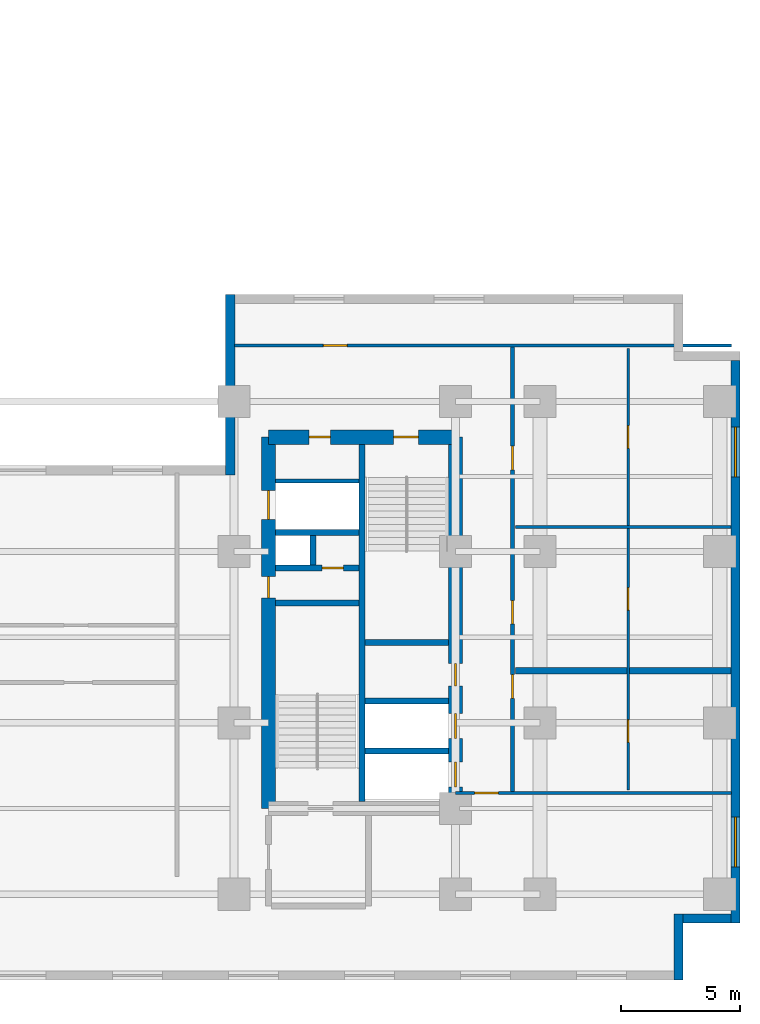
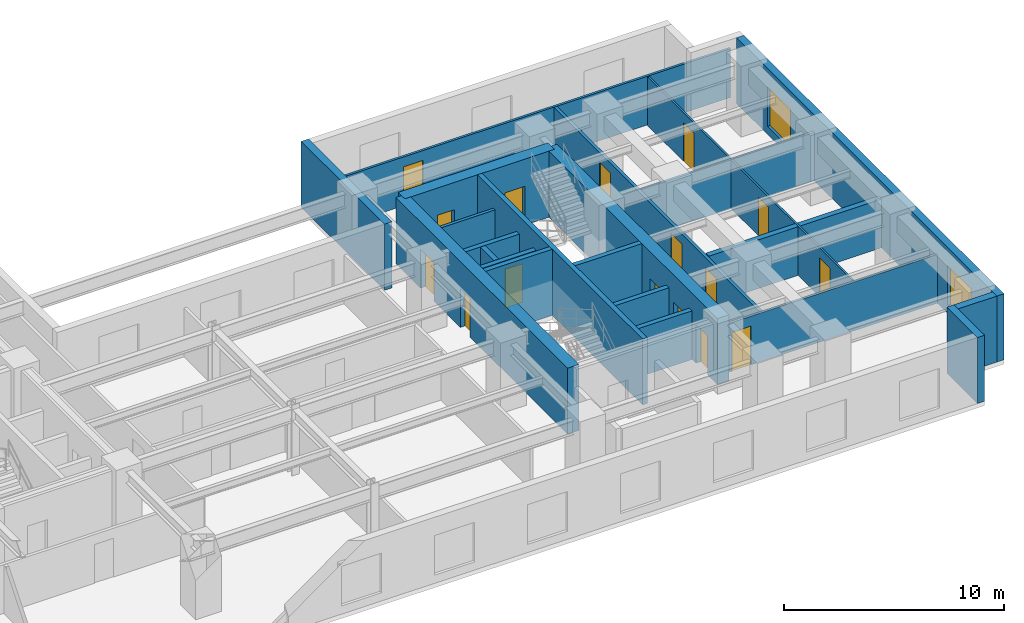
# One storey, part 5 of 9: 22 walls, 16 doors, 2 windows, 18 openings.
"""IFC4 building model written with IfcOpenShell, lengths in metres."""

import ifcopenshell
import ifcopenshell.guid

model = None  # the IFC model being written
_history = None  # IfcOwnerHistory: only IFC2X3 demands one
_inside = {}  # id of a spatial element -> (the spatial element, [elements in it])
_under = {}  # id of a project, library or spatial element -> (it, [spatial elements below it])
_declared = {}  # id of a project -> (the project, [libraries it declares])
_typed = {}  # id of a type object -> (the type object, [elements of that type])
_made_of = {}  # id of a material, layer set ... -> (it, [elements and type objects made of it])


def new_model(schema):
    """Start an empty IFC model of exactly this schema.

    Asked for "IFC4X3", IfcOpenShell would pick the latest addendum, in which some entities
    have other attributes; the version numbers below select the first issue.
    IFC2X3 requires an IfcOwnerHistory on every rooted entity: one is made here for all.
    """
    global model, _history
    if schema == "IFC4X3":
        model = ifcopenshell.file(schema_version=(4, 3, 0, 0))
    else:
        model = ifcopenshell.file(schema=schema)
    _inside.clear()
    _under.clear()
    _declared.clear()
    _typed.clear()
    _made_of.clear()
    _history = None
    if model.schema == "IFC2X3":
        org = make("IfcOrganization", Name="unknown")
        user = make(
            "IfcPersonAndOrganization",
            ThePerson=make("IfcPerson", FamilyName="unknown"),
            TheOrganization=org,
        )
        app = make(
            "IfcApplication",
            ApplicationDeveloper=org,
            Version="unknown",
            ApplicationFullName="unknown",
            ApplicationIdentifier="unknown",
        )
        _history = make(
            "IfcOwnerHistory",
            OwningUser=user,
            OwningApplication=app,
            ChangeAction="ADDED",
            CreationDate=0,
        )
    return model


def make(cls, **values):
    """One entity of the class cls with the attributes given. An attribute that is None is left unset."""
    return model.create_entity(
        cls, **{name: value for name, value in values.items() if value is not None}
    )


def entity(cls, *values):
    """Any entity or typed value of the class cls, its attributes in the order of the schema. None: left unset."""
    e = model.create_entity(cls)
    for i, value in enumerate(values):
        if value is not None:
            e[i] = value
    return e


def rooted(cls, **values):
    """An entity with a GlobalId (a new one), such as an element, a storey or a relation."""
    return make(cls, GlobalId=ifcopenshell.guid.new(), OwnerHistory=_history, **values)


def si_unit(unit_type, name, prefix=None):
    """IfcSIUnit, for example si_unit("LENGTHUNIT", "METRE", prefix="MILLI")."""
    return make("IfcSIUnit", UnitType=unit_type, Prefix=prefix, Name=name)


def converted_unit(unit_type, name, factor, base, dimensions=None, offset=None):
    """IfcConversionBasedUnit, such as the inch: factor (a typed value) times the base unit."""
    return make(
        "IfcConversionBasedUnit"
        if offset is None
        else "IfcConversionBasedUnitWithOffset",
        ConversionOffset=offset,
        Dimensions=None
        if dimensions is None
        else entity("IfcDimensionalExponents", *dimensions),
        UnitType=unit_type,
        Name=name,
        ConversionFactor=make(
            "IfcMeasureWithUnit", ValueComponent=factor, UnitComponent=base
        ),
    )


def assignment(units):
    """IfcUnitAssignment: the units of a project."""
    return None if units is None else make("IfcUnitAssignment", Units=units)


def point(xyz):
    """IfcCartesianPoint."""
    return None if xyz is None else make("IfcCartesianPoint", Coordinates=xyz)


def direction(xyz):
    """IfcDirection."""
    return None if xyz is None else make("IfcDirection", DirectionRatios=xyz)


def frame(location, z_axis=None, x_axis=None):
    """IfcAxis2Placement3D, a coordinate frame: its origin and axes. An axis left out is left unset."""
    return make(
        "IfcAxis2Placement3D",
        Location=point(location),
        Axis=direction(z_axis),
        RefDirection=direction(x_axis),
    )


def frame_2d(location, x_axis=None):
    """IfcAxis2Placement2D, a coordinate frame in the plane: its origin and x axis."""
    return make(
        "IfcAxis2Placement2D", Location=point(location), RefDirection=direction(x_axis)
    )


def origin_with_axes():
    """The frame at (0, 0, 0) with the z axis (0, 0, 1) and the x axis (1, 0, 0) written out."""
    return frame((0.0, 0.0, 0.0), z_axis=(0.0, 0.0, 1.0), x_axis=(1.0, 0.0, 0.0))


def origin_2d_with_axis():
    """The frame at (0, 0) in the plane with the x axis (1, 0) written out."""
    return frame_2d((0.0, 0.0), x_axis=(1.0, 0.0))


def place(relative_to, where):
    """IfcLocalPlacement: puts the frame where relative to a parent placement (None: the world)."""
    return make(
        "IfcLocalPlacement", PlacementRelTo=relative_to, RelativePlacement=where
    )


def context(
    kind, dimensions, precision=None, world=None, true_north=None, identifier=None
):
    """IfcGeometricRepresentationContext, for example the 3D "Model" context."""
    return make(
        "IfcGeometricRepresentationContext",
        ContextIdentifier=identifier,
        ContextType=kind,
        CoordinateSpaceDimension=dimensions,
        Precision=precision,
        WorldCoordinateSystem=world,
        TrueNorth=true_north,
    )


def subcontext(parent, identifier, kind, view, scale=None):
    """IfcGeometricRepresentationSubContext, for example "Body" below "Model"."""
    return make(
        "IfcGeometricRepresentationSubContext",
        ContextIdentifier=identifier,
        ContextType=kind,
        ParentContext=parent,
        TargetScale=scale,
        TargetView=view,
    )


def project(units=None, contexts=None):
    """IfcProject with its units and contexts."""
    return rooted(
        "IfcProject",
        Name="project",
        RepresentationContexts=contexts,
        UnitsInContext=assignment(units),
    )


def spatial(cls, under=None, at=None, **own):
    """A site, building, storey or space (cls), placed at a placement, below another one or the project."""
    s = rooted(cls, ObjectPlacement=at, **own)
    if under is not None:
        _under.setdefault(under.id(), (under, []))[1].append(s)
    return s


def polyline(points):
    """IfcPolyline through the points."""
    return make("IfcPolyline", Points=[point(p) for p in points])


def profile(cls, at=None, kind="AREA", **sizes):
    """A parametric profile (cls). Its sizes go by their IFC names, for example OverallWidth=200.0."""
    return make(cls, ProfileType=kind, Position=at, **sizes)


def rectangle(**sizes):
    """IfcRectangleProfileDef."""
    return profile("IfcRectangleProfileDef", **sizes)


def outline(outer, holes=None, kind="AREA"):
    """IfcArbitraryClosedProfileDef: a profile drawn as a closed curve; with holes, ...WithVoids."""
    if holes is None:
        return make("IfcArbitraryClosedProfileDef", ProfileType=kind, OuterCurve=outer)
    return make(
        "IfcArbitraryProfileDefWithVoids",
        ProfileType=kind,
        OuterCurve=outer,
        InnerCurves=holes,
    )


def extrude(swept, where, along, depth):
    """IfcExtrudedAreaSolid: the profile swept, set in the frame where, extruded along a direction by depth."""
    return make(
        "IfcExtrudedAreaSolid",
        SweptArea=swept,
        Position=where,
        ExtrudedDirection=direction(along),
        Depth=depth,
    )


def shape(context_of_items, identifier, shape_type, items):
    """IfcShapeRepresentation: the items that make up one representation, for example the "Body"."""
    return make(
        "IfcShapeRepresentation",
        ContextOfItems=context_of_items,
        RepresentationIdentifier=identifier,
        RepresentationType=shape_type,
        Items=items,
    )


def material(Name=None, Category=None):
    """IfcMaterial."""
    return make("IfcMaterial", Name=Name, Category=Category)


def layer(
    of_material, thickness, ventilated=None, Name=None, Category=None, Priority=None
):
    """IfcMaterialLayer: one layer of a wall or slab, of a material (None: an air gap)."""
    return make(
        "IfcMaterialLayer",
        Material=of_material,
        LayerThickness=thickness,
        IsVentilated=ventilated,
        Name=Name,
        Category=Category,
        Priority=Priority,
    )


def layer_set(layers, Name=None):
    """IfcMaterialLayerSet."""
    return make("IfcMaterialLayerSet", MaterialLayers=layers, LayerSetName=Name)


def made_of(thing, what):
    """Note that an element or type object is made of a material, layer set ...; save() writes the relation."""
    if what is not None:
        _made_of.setdefault(what.id(), (what, []))[1].append(thing)
    return thing


def type_object(cls, material=None, **own):
    """A type object (cls), such as IfcWallType, which elements share."""
    return made_of(rooted(cls, **own), material)


def element(
    cls,
    number,
    at=None,
    inside=None,
    cuts=None,
    type_object=None,
    material=None,
    context=None,
    identifier="Body",
    shape_type=None,
    held_by="IfcProductDefinitionShape",
    body=None,
    shapes=None,
    **own,
):
    """One element of the class cls, such as IfcWall. Its Tag is "e" and its number.

    at: its placement. inside: the storey or other place that contains it. cuts: it is an
    opening in that element (IfcRelVoidsElement). A single representation is given by context,
    identifier, shape_type and body (its items); several are given by shapes. held_by: the class
    of the entity that holds the representations. save() writes the other relations.
    """
    e = rooted(cls, Tag="e%d" % number, ObjectPlacement=at, **own)
    if body is not None:
        shapes = [shape(context, identifier, shape_type, body)]
    if shapes is not None:
        e.Representation = make(held_by, Representations=shapes)
    if inside is not None:
        _inside.setdefault(inside.id(), (inside, []))[1].append(e)
    if cuts is not None:
        rooted(
            "IfcRelVoidsElement", RelatingBuildingElement=cuts, RelatedOpeningElement=e
        )
    if type_object is not None:
        _typed.setdefault(type_object.id(), (type_object, []))[1].append(e)
    return made_of(e, material)


def fill(opening, filler):
    """IfcRelFillsElement: the door or window that sits in an opening."""
    return rooted(
        "IfcRelFillsElement",
        RelatingOpeningElement=opening,
        RelatedBuildingElement=filler,
    )


def aggregate(whole, parts):
    """IfcRelAggregates: a whole, such as a stair, and the parts it consists of."""
    return rooted("IfcRelAggregates", RelatingObject=whole, RelatedObjects=parts)


def save(model, path):
    """Write the relations noted so far, then the file.

    IfcRelAggregates (storeys below a building ...), IfcRelContainedInSpatialStructure (elements
    in a storey), IfcRelDefinesByType, IfcRelAssociatesMaterial and IfcRelDeclares: one each for
    every whole, place, type object, material and project.
    """
    for whole, parts in _under.values():
        aggregate(whole, parts)
    for where, things in _inside.values():
        rooted(
            "IfcRelContainedInSpatialStructure",
            RelatedElements=things,
            RelatingStructure=where,
        )
    for kind, things in _typed.values():
        rooted("IfcRelDefinesByType", RelatedObjects=things, RelatingType=kind)
    for what, things in _made_of.values():
        rooted("IfcRelAssociatesMaterial", RelatedObjects=things, RelatingMaterial=what)
    for by, libraries in _declared.values():
        rooted("IfcRelDeclares", RelatingContext=by, RelatedDefinitions=libraries)
    model.write(path)


model = new_model("IFC4")

# Units and contexts
model_context = context("Model", 3, precision=1e-05, world=origin_with_axes(), true_north=direction((0.0, 1.0)))
body_context = subcontext(model_context, "Body", "Model", "MODEL_VIEW")
ifc_project = project(units=[si_unit("LENGTHUNIT", "METRE"), si_unit("AREAUNIT", "SQUARE_METRE"), si_unit("VOLUMEUNIT", "CUBIC_METRE"), converted_unit("PLANEANGLEUNIT", "DEGREE", entity("IfcPlaneAngleMeasure", 0.017453292519943295), si_unit("PLANEANGLEUNIT", "RADIAN"), dimensions=[0, 0, 0, 0, 0, 0, 0]), si_unit("MASSUNIT", "GRAM", prefix="KILO"), si_unit("THERMODYNAMICTEMPERATUREUNIT", "KELVIN")], contexts=[model_context])

# Site, building, storey
site_placement = place(None, origin_with_axes())
site = spatial("IfcSite", under=ifc_project, at=site_placement, CompositionType="ELEMENT")
building_placement = place(site_placement, origin_with_axes())
building = spatial("IfcBuilding", under=site, at=building_placement, Name="Varnlund Millrace Tower", CompositionType="ELEMENT")
storey_placement = place(building_placement, frame((0.0, 0.0, 32.7), z_axis=(0.0, 0.0, 1.0), x_axis=(1.0, 0.0, 0.0)))
storey = spatial("IfcBuildingStorey", under=building, at=storey_placement, Name="L07", CompositionType="ELEMENT", Elevation=32.7)

# Wall, openings, doors
ifc_material_1 = material(Name="Concrete C80/95", Category="concrete")
ifc_layer_1 = layer(ifc_material_1, 0.6, Name="Concrete C80/95")
ifc_layer_set_1 = layer_set([ifc_layer_1], Name="Concrete C80/95")
wall_type_1 = type_object("IfcWallType", Name="Type-CoreWall-Shear-600-C80", PredefinedType="SHEAR", material=ifc_layer_set_1)
wall_1_placement = place(storey_placement, frame((40.2, 7.2, 0.0), z_axis=(0.0, 0.0, 1.0), x_axis=(0.0, 1.0, 0.0)))
wall_1 = element("IfcWall", 1, at=wall_1_placement, inside=storey, type_object=wall_type_1, Name="Type-CoreWall-Shear-600-C80", PredefinedType="SHEAR", context=body_context, shape_type="SweptSolid", body=[
    extrude(outline(polyline([(0.0, -0.3), (15.6, -0.3), (15.6, 0.3), (0.0, 0.3), (0.0, -0.3)])), origin_with_axes(), (0.0, 0.0, 1.0), 3.66),
])
opening_1_placement = place(wall_1_placement, frame((12.75, 0.0, 0.0), z_axis=(0.0, 0.0, 1.0), x_axis=(1.0, 0.0, 0.0)))
opening_1 = element("IfcOpeningElement", 2, at=opening_1_placement, cuts=wall_1, Name="Opening L07:LD-SRV2", PredefinedType="OPENING", context=body_context, shape_type="SweptSolid", body=[
    extrude(rectangle(XDim=1.2, YDim=0.62, at=origin_2d_with_axis()), origin_with_axes(), (0.0, 0.0, 1.0), 2.15),
])
opening_2_placement = place(wall_1_placement, frame((9.3, 0.0, 0.0), z_axis=(0.0, 0.0, 1.0), x_axis=(1.0, 0.0, 0.0)))
opening_2 = element("IfcOpeningElement", 3, at=opening_2_placement, cuts=wall_1, Name="Opening L07:DR-CB-JAN", PredefinedType="OPENING", context=body_context, shape_type="SweptSolid", body=[
    extrude(rectangle(XDim=0.9, YDim=0.62, at=origin_2d_with_axis()), origin_with_axes(), (0.0, 0.0, 1.0), 2.15),
])
ifc_material_2 = material(Name="Fire-rated hollow steel service closet door", Category="steel")
door_type_1 = type_object("IfcDoorType", Name="Type-FireDoor-Closet-900X2150", OperationType="NOTDEFINED", PredefinedType="DOOR", material=ifc_material_2)
door_1_placement = place(wall_1_placement, frame((9.3, 0.0, 0.0), z_axis=(0.0, 0.0, 1.0), x_axis=(1.0, 0.0, 0.0)))
door_1 = element("IfcDoor", 4, at=door_1_placement, inside=storey, type_object=door_type_1, Name="Type-FireDoor-Closet-900X2150", OperationType="SINGLE_SWING_RIGHT", OverallHeight=2.15, OverallWidth=0.9, PredefinedType="DOOR", context=body_context, shape_type="SweptSolid", body=[
    extrude(rectangle(XDim=0.9, YDim=0.09, at=origin_2d_with_axis()), origin_with_axes(), (0.0, 0.0, 1.0), 2.15),
])
fill(opening_2, door_1)
ifc_material_3 = material(Name="Heavy-duty freight sliding landing door")
door_type_2 = type_object("IfcDoorType", Name="Type-LiftLandingDoor-Service-1200X2150", OperationType="NOTDEFINED", PredefinedType="DOOR", material=ifc_material_3)
door_2_placement = place(wall_1_placement, frame((12.75, 0.0, 0.0), z_axis=(0.0, 0.0, 1.0), x_axis=(1.0, 0.0, 0.0)))
door_2 = element("IfcDoor", 5, at=door_2_placement, inside=storey, type_object=door_type_2, Name="Type-LiftLandingDoor-Service-1200X2150", OperationType="DOUBLE_DOOR_SLIDING", OverallHeight=2.15, OverallWidth=1.2, PredefinedType="DOOR", context=body_context, shape_type="SweptSolid", body=[
    extrude(rectangle(XDim=1.2, YDim=0.09, at=origin_2d_with_axis()), origin_with_axes(), (0.0, 0.0, 1.0), 2.15),
])
fill(opening_1, door_2)

wall_2_placement = place(storey_placement, frame((40.2, 22.8, 0.0), z_axis=(0.0, 0.0, 1.0), x_axis=(1.0, 0.0, 0.0)))
wall_2 = element("IfcWall", 6, at=wall_2_placement, inside=storey, type_object=wall_type_1, Name="Type-CoreWall-Shear-600-C80", PredefinedType="SHEAR", context=body_context, shape_type="SweptSolid", body=[
    extrude(outline(polyline([(0.0, -0.3), (7.85, -0.3), (7.85, 0.3), (0.0, 0.3), (0.0, -0.3)])), origin_with_axes(), (0.0, 0.0, 1.0), 3.66),
])
opening_3_placement = place(wall_2_placement, frame((5.775, 0.0, 0.0), z_axis=(0.0, 0.0, 1.0), x_axis=(1.0, 0.0, 0.0)))
opening_3 = element("IfcOpeningElement", 7, at=opening_3_placement, cuts=wall_2, Name="Opening L07:DR-STB2", PredefinedType="OPENING", context=body_context, shape_type="SweptSolid", body=[
    extrude(rectangle(XDim=1.05, YDim=0.62, at=origin_2d_with_axis()), origin_with_axes(), (0.0, 0.0, 1.0), 2.15),
])
opening_4_placement = place(wall_2_placement, frame((2.15, 0.0, 0.0), z_axis=(0.0, 0.0, 1.0), x_axis=(1.0, 0.0, 0.0)))
opening_4 = element("IfcOpeningElement", 8, at=opening_4_placement, cuts=wall_2, Name="Opening L07:DR-CB-NW", PredefinedType="OPENING", context=body_context, shape_type="SweptSolid", body=[
    extrude(rectangle(XDim=0.9, YDim=0.62, at=origin_2d_with_axis()), origin_with_axes(), (0.0, 0.0, 1.0), 2.15),
])
door_3_placement = place(wall_2_placement, frame((2.15, 0.0, 0.0), z_axis=(0.0, 0.0, 1.0), x_axis=(1.0, 0.0, 0.0)))
door_3 = element("IfcDoor", 9, at=door_3_placement, inside=storey, type_object=door_type_1, Name="Type-FireDoor-Closet-900X2150", OperationType="SINGLE_SWING_LEFT", OverallHeight=2.15, OverallWidth=0.9, PredefinedType="DOOR", context=body_context, shape_type="SweptSolid", body=[
    extrude(rectangle(XDim=0.9, YDim=0.09, at=origin_2d_with_axis()), origin_with_axes(), (0.0, 0.0, 1.0), 2.15),
])
fill(opening_4, door_3)
ifc_material_4 = material(Name="Fire-rated hollow steel door", Category="steel")
door_type_3 = type_object("IfcDoorType", Name="Type-FireDoor-Stair-1050X2150", OperationType="NOTDEFINED", PredefinedType="DOOR", material=ifc_material_4)
door_4_placement = place(wall_2_placement, frame((5.775, 0.0, 0.0), z_axis=(0.0, 0.0, 1.0), x_axis=(1.0, 0.0, 0.0)))
door_4 = element("IfcDoor", 10, at=door_4_placement, inside=storey, type_object=door_type_3, Name="Type-FireDoor-Stair-1050X2150", OperationType="SINGLE_SWING_RIGHT", OverallHeight=2.15, OverallWidth=1.05, PredefinedType="DOOR", context=body_context, shape_type="SweptSolid", body=[
    extrude(rectangle(XDim=1.05, YDim=0.09, at=origin_2d_with_axis()), origin_with_axes(), (0.0, 0.0, 1.0), 2.15),
])
fill(opening_3, door_4)

wall_3_placement = place(storey_placement, frame((48.05, 7.2, 0.0), z_axis=(0.0, 0.0, 1.0), x_axis=(0.0, 1.0, 0.0)))
wall_3 = element("IfcWall", 11, at=wall_3_placement, inside=storey, type_object=wall_type_1, Name="Type-CoreWall-Shear-600-C80", PredefinedType="SHEAR", context=body_context, shape_type="SweptSolid", body=[
    extrude(outline(polyline([(0.0, -0.3), (15.6, -0.3), (15.6, 0.3), (0.0, 0.3), (0.0, -0.3)])), origin_with_axes(), (0.0, 0.0, 1.0), 3.66),
])
opening_5_placement = place(wall_3_placement, frame((1.425, 0.0, 0.0), z_axis=(0.0, 0.0, 1.0), x_axis=(1.0, 0.0, 0.0)))
opening_5 = element("IfcOpeningElement", 12, at=opening_5_placement, cuts=wall_3, Name="Opening L07:LD-ELV-L3", PredefinedType="OPENING", context=body_context, shape_type="SweptSolid", body=[
    extrude(rectangle(XDim=1.05, YDim=0.62, at=origin_2d_with_axis()), origin_with_axes(), (0.0, 0.0, 1.0), 2.15),
])
opening_6_placement = place(wall_3_placement, frame((3.475, 0.0, 0.0), z_axis=(0.0, 0.0, 1.0), x_axis=(1.0, 0.0, 0.0)))
opening_6 = element("IfcOpeningElement", 13, at=opening_6_placement, cuts=wall_3, Name="Opening L07:LD-ELV-L4", PredefinedType="OPENING", context=body_context, shape_type="SweptSolid", body=[
    extrude(rectangle(XDim=1.05, YDim=0.62, at=origin_2d_with_axis()), origin_with_axes(), (0.0, 0.0, 1.0), 2.15),
])
opening_7_placement = place(wall_3_placement, frame((5.625, 0.0, 0.0), z_axis=(0.0, 0.0, 1.0), x_axis=(1.0, 0.0, 0.0)))
opening_7 = element("IfcOpeningElement", 14, at=opening_7_placement, cuts=wall_3, Name="Opening L07:DR-CB-WC", PredefinedType="OPENING", context=body_context, shape_type="SweptSolid", body=[
    extrude(rectangle(XDim=0.95, YDim=0.62, at=origin_2d_with_axis()), origin_with_axes(), (0.0, 0.0, 1.0), 2.15),
])
ifc_material_5 = material(Name="Fire-rated hollow steel core service door", Category="steel")
door_type_4 = type_object("IfcDoorType", Name="Type-FireDoor-Service-950X2150", OperationType="NOTDEFINED", PredefinedType="DOOR", material=ifc_material_5)
door_5_placement = place(wall_3_placement, frame((5.625, 0.0, 0.0), z_axis=(0.0, 0.0, 1.0), x_axis=(1.0, 0.0, 0.0)))
door_5 = element("IfcDoor", 15, at=door_5_placement, inside=storey, type_object=door_type_4, Name="Type-FireDoor-Service-950X2150", OperationType="SINGLE_SWING_LEFT", OverallHeight=2.15, OverallWidth=0.95, PredefinedType="DOOR", context=body_context, shape_type="SweptSolid", body=[
    extrude(rectangle(XDim=0.95, YDim=0.09, at=origin_2d_with_axis()), origin_with_axes(), (0.0, 0.0, 1.0), 2.15),
])
fill(opening_7, door_5)
ifc_material_6 = material(Name="Architectural bronze sliding landing door")
door_type_5 = type_object("IfcDoorType", Name="Type-LiftLandingDoor-Compact-1050X2150", OperationType="NOTDEFINED", PredefinedType="DOOR", material=ifc_material_6)
door_6_placement = place(wall_3_placement, frame((1.425, 0.0, 0.0), z_axis=(0.0, 0.0, 1.0), x_axis=(1.0, 0.0, 0.0)))
door_6 = element("IfcDoor", 16, at=door_6_placement, inside=storey, type_object=door_type_5, Name="Type-LiftLandingDoor-Compact-1050X2150", OperationType="SLIDING_TO_LEFT", OverallHeight=2.15, OverallWidth=1.05, PredefinedType="DOOR", context=body_context, shape_type="SweptSolid", body=[
    extrude(rectangle(XDim=1.05, YDim=0.09, at=origin_2d_with_axis()), origin_with_axes(), (0.0, 0.0, 1.0), 2.15),
])
fill(opening_5, door_6)
door_7_placement = place(wall_3_placement, frame((3.475, 0.0, 0.0), z_axis=(0.0, 0.0, 1.0), x_axis=(1.0, 0.0, 0.0)))
door_7 = element("IfcDoor", 17, at=door_7_placement, inside=storey, type_object=door_type_5, Name="Type-LiftLandingDoor-Compact-1050X2150", OperationType="SLIDING_TO_RIGHT", OverallHeight=2.15, OverallWidth=1.05, PredefinedType="DOOR", context=body_context, shape_type="SweptSolid", body=[
    extrude(rectangle(XDim=1.05, YDim=0.09, at=origin_2d_with_axis()), origin_with_axes(), (0.0, 0.0, 1.0), 2.15),
])
fill(opening_6, door_7)

# Wall
ifc_material_7 = material(Name="Precast concrete C50/60", Category="concrete")
ifc_layer_2 = layer(ifc_material_7, 0.38, Name="Precast concrete C50/60")
ifc_layer_set_2 = layer_set([ifc_layer_2], Name="Precast concrete C50/60")
wall_type_2 = type_object("IfcWallType", Name="Type-ExtWall-Precast-Tube-380", PredefinedType="SOLIDWALL", material=ifc_layer_set_2)
wall_4_placement = place(storey_placement, frame((38.59, 21.22, 0.0), z_axis=(0.0, 0.0, 1.0), x_axis=(0.0, 1.0, 0.0)))
element("IfcWall", 18, at=wall_4_placement, inside=storey, type_object=wall_type_2, Name="Type-ExtWall-Precast-Tube-380", PredefinedType="SOLIDWALL", context=body_context, shape_type="SweptSolid", body=[
    extrude(outline(polyline([(0.0, -0.19), (7.58, -0.19), (7.58, 0.19), (0.0, 0.19), (0.0, -0.19)])), origin_with_axes(), (0.0, 0.0, 1.0), 3.66),
])

# Wall, openings, windows
wall_5_placement = place(storey_placement, frame((59.81, 26.02, 0.0), z_axis=(0.0, 0.0, 1.0), x_axis=(0.0, -1.0, 0.0)))
wall_5 = element("IfcWall", 19, at=wall_5_placement, inside=storey, type_object=wall_type_2, Name="Type-ExtWall-Precast-Tube-380", PredefinedType="SOLIDWALL", context=body_context, shape_type="SweptSolid", body=[
    extrude(outline(polyline([(0.0, -0.19), (23.62, -0.19), (23.62, 0.19), (0.0, 0.19), (0.0, -0.19)])), origin_with_axes(), (0.0, 0.0, 1.0), 3.66),
])
opening_8_placement = place(wall_5_placement, frame((3.853, 0.0, 0.45), z_axis=(0.0, 0.0, 1.0), x_axis=(1.0, 0.0, 0.0)))
opening_8 = element("IfcOpeningElement", 20, at=opening_8_placement, cuts=wall_5, Name="Opening L07:WN-04", PredefinedType="OPENING", context=body_context, shape_type="SweptSolid", body=[
    extrude(rectangle(XDim=2.1, YDim=0.4, at=origin_2d_with_axis()), origin_with_axes(), (0.0, 0.0, 1.0), 2.2),
])
opening_9_placement = place(wall_5_placement, frame((20.218, 0.0, 0.45), z_axis=(0.0, 0.0, 1.0), x_axis=(1.0, 0.0, 0.0)))
opening_9 = element("IfcOpeningElement", 21, at=opening_9_placement, cuts=wall_5, Name="Opening L07:WN-05", PredefinedType="OPENING", context=body_context, shape_type="SweptSolid", body=[
    extrude(rectangle(XDim=2.1, YDim=0.4, at=origin_2d_with_axis()), origin_with_axes(), (0.0, 0.0, 1.0), 2.2),
])
ifc_material_8 = material(Name="Argon low-e triple glazing in thermally broken bronze frame", Category="glass")
window_type = type_object("IfcWindowType", Name="Type-Window-Punched-2100X2200", PartitioningType="SINGLE_PANEL", PredefinedType="WINDOW", material=ifc_material_8)
window_1_placement = place(wall_5_placement, frame((3.853, 0.0, 0.45), z_axis=(0.0, 0.0, 1.0), x_axis=(1.0, 0.0, 0.0)))
window_1 = element("IfcWindow", 22, at=window_1_placement, inside=storey, type_object=window_type, Name="Type-Window-Punched-2100X2200", OverallHeight=2.2, OverallWidth=2.1, PredefinedType="WINDOW", context=body_context, shape_type="SweptSolid", body=[
    extrude(rectangle(XDim=2.1, YDim=0.09, at=origin_2d_with_axis()), origin_with_axes(), (0.0, 0.0, 1.0), 2.2),
])
fill(opening_8, window_1)
window_2_placement = place(wall_5_placement, frame((20.218, 0.0, 0.45), z_axis=(0.0, 0.0, 1.0), x_axis=(1.0, 0.0, 0.0)))
window_2 = element("IfcWindow", 23, at=window_2_placement, inside=storey, type_object=window_type, Name="Type-Window-Punched-2100X2200", OverallHeight=2.2, OverallWidth=2.1, PredefinedType="WINDOW", context=body_context, shape_type="SweptSolid", body=[
    extrude(rectangle(XDim=2.1, YDim=0.09, at=origin_2d_with_axis()), origin_with_axes(), (0.0, 0.0, 1.0), 2.2),
])
fill(opening_9, window_2)

# Walls
wall_6_placement = place(storey_placement, frame((59.62, 2.59, 0.0), z_axis=(0.0, 0.0, 1.0), x_axis=(-1.0, 0.0, 0.0)))
element("IfcWall", 24, at=wall_6_placement, inside=storey, type_object=wall_type_2, Name="Type-ExtWall-Precast-Tube-380", PredefinedType="SOLIDWALL", context=body_context, shape_type="SweptSolid", body=[
    extrude(outline(polyline([(0.0, -0.19), (2.02, -0.19), (2.02, 0.19), (0.0, 0.19), (0.0, -0.19)])), origin_with_axes(), (0.0, 0.0, 1.0), 3.66),
])
wall_7_placement = place(storey_placement, frame((57.41, 2.78, 0.0), z_axis=(0.0, 0.0, 1.0), x_axis=(0.0, -1.0, 0.0)))
element("IfcWall", 25, at=wall_7_placement, inside=storey, type_object=wall_type_2, Name="Type-ExtWall-Precast-Tube-380", PredefinedType="SOLIDWALL", context=body_context, shape_type="SweptSolid", body=[
    extrude(outline(polyline([(0.0, -0.19), (2.78, -0.19), (2.78, 0.19), (0.0, 0.19), (0.0, -0.19)])), origin_with_axes(), (0.0, 0.0, 1.0), 3.66),
])
ifc_material_9 = material(Name="Double-stud STC-60 conference acoustic partition", Category="gypsum")
ifc_layer_3 = layer(ifc_material_9, 0.28, Name="Double-stud STC-60 conference acoustic partition")
ifc_layer_set_3 = layer_set([ifc_layer_3], Name="Double-stud STC-60 conference acoustic partition")
wall_type_3 = type_object("IfcWallType", Name="Type-Partition-Acoustic-280", PredefinedType="PARTITIONING", material=ifc_layer_set_3)
wall_8_placement = place(storey_placement, frame((50.57, 12.993, 0.0), z_axis=(0.0, 0.0, 1.0), x_axis=(1.0, 0.0, 0.0)))
element("IfcWall", 26, at=wall_8_placement, inside=storey, type_object=wall_type_3, Name="Type-Partition-Acoustic-280", PredefinedType="PARTITIONING", context=body_context, shape_type="SweptSolid", body=[
    extrude(outline(polyline([(0.0, -0.14), (9.055, -0.14), (9.055, 0.14), (0.0, 0.14), (0.0, -0.14)])), origin_with_axes(), (0.0, 0.0, 1.0), 2.7),
])
ifc_material_10 = material(Name="Fire-rated gypsum board on cold-formed steel framing", Category="steel")
ifc_layer_4 = layer(ifc_material_10, 0.16, Name="Fire-rated gypsum board on cold-formed steel framing")
ifc_layer_set_4 = layer_set([ifc_layer_4], Name="Fire-rated gypsum board on cold-formed steel framing")
wall_type_4 = type_object("IfcWallType", Name="Type-Partition-Corridor-160", PredefinedType="PARTITIONING", material=ifc_layer_set_4)
wall_9_placement = place(storey_placement, frame((40.5, 20.96, 0.0), z_axis=(0.0, 0.0, 1.0), x_axis=(1.0, 0.0, 0.0)))
element("IfcWall", 27, at=wall_9_placement, inside=storey, type_object=wall_type_4, Name="Type-Partition-Corridor-160", PredefinedType="PARTITIONING", context=body_context, shape_type="SweptSolid", body=[
    extrude(outline(polyline([(0.0, -0.08), (3.5, -0.08), (3.5, 0.08), (0.0, 0.08), (0.0, -0.08)])), origin_with_axes(), (0.0, 0.0, 1.0), 2.7),
])

# Wall, openings, doors
wall_10_placement = place(storey_placement, frame((50.45, 7.85, 0.0), z_axis=(0.0, 0.0, 1.0), x_axis=(0.0, 1.0, 0.0)))
wall_10 = element("IfcWall", 28, at=wall_10_placement, inside=storey, type_object=wall_type_4, Name="Type-Partition-Corridor-160", PredefinedType="PARTITIONING", context=body_context, shape_type="SweptSolid", body=[
    extrude(outline(polyline([(0.0, -0.08), (18.8, -0.08), (18.8, 0.08), (0.0, 0.08), (0.0, -0.08)])), origin_with_axes(), (0.0, 0.0, 1.0), 2.7),
])
opening_10_placement = place(wall_10_placement, frame((4.473, 0.0, 0.0), z_axis=(0.0, 0.0, 1.0), x_axis=(1.0, 0.0, 0.0)))
opening_10 = element("IfcOpeningElement", 29, at=opening_10_placement, cuts=wall_10, Name="Opening L07:DR-WB-01", PredefinedType="OPENING", context=body_context, shape_type="SweptSolid", body=[
    extrude(rectangle(XDim=1.0, YDim=0.18, at=origin_2d_with_axis()), origin_with_axes(), (0.0, 0.0, 1.0), 2.15),
])
opening_11_placement = place(wall_10_placement, frame((7.597, 0.0, 0.0), z_axis=(0.0, 0.0, 1.0), x_axis=(1.0, 0.0, 0.0)))
opening_11 = element("IfcOpeningElement", 30, at=opening_11_placement, cuts=wall_10, Name="Opening L07:DR-WB-02", PredefinedType="OPENING", context=body_context, shape_type="SweptSolid", body=[
    extrude(rectangle(XDim=1.0, YDim=0.18, at=origin_2d_with_axis()), origin_with_axes(), (0.0, 0.0, 1.0), 2.15),
])
opening_12_placement = place(wall_10_placement, frame((14.075, 0.0, 0.0), z_axis=(0.0, 0.0, 1.0), x_axis=(1.0, 0.0, 0.0)))
opening_12 = element("IfcOpeningElement", 31, at=opening_12_placement, cuts=wall_10, Name="Opening L07:DR-WB-03", PredefinedType="OPENING", context=body_context, shape_type="SweptSolid", body=[
    extrude(rectangle(XDim=1.0, YDim=0.18, at=origin_2d_with_axis()), origin_with_axes(), (0.0, 0.0, 1.0), 2.15),
])
ifc_material_11 = material(Name="Solid-core white oak and bronze frame door")
door_type_6 = type_object("IfcDoorType", Name="Type-IntDoor-Office-1000X2150", OperationType="NOTDEFINED", PredefinedType="DOOR", material=ifc_material_11)
door_8_placement = place(wall_10_placement, frame((4.473, 0.0, 0.0), z_axis=(0.0, 0.0, 1.0), x_axis=(1.0, 0.0, 0.0)))
door_8 = element("IfcDoor", 32, at=door_8_placement, inside=storey, type_object=door_type_6, Name="Type-IntDoor-Office-1000X2150", OperationType="SINGLE_SWING_LEFT", OverallHeight=2.15, OverallWidth=1.0, PredefinedType="DOOR", context=body_context, shape_type="SweptSolid", body=[
    extrude(rectangle(XDim=1.0, YDim=0.09, at=origin_2d_with_axis()), origin_with_axes(), (0.0, 0.0, 1.0), 2.15),
])
fill(opening_10, door_8)
door_9_placement = place(wall_10_placement, frame((7.597, 0.0, 0.0), z_axis=(0.0, 0.0, 1.0), x_axis=(1.0, 0.0, 0.0)))
door_9 = element("IfcDoor", 33, at=door_9_placement, inside=storey, type_object=door_type_6, Name="Type-IntDoor-Office-1000X2150", OperationType="SINGLE_SWING_RIGHT", OverallHeight=2.15, OverallWidth=1.0, PredefinedType="DOOR", context=body_context, shape_type="SweptSolid", body=[
    extrude(rectangle(XDim=1.0, YDim=0.09, at=origin_2d_with_axis()), origin_with_axes(), (0.0, 0.0, 1.0), 2.15),
])
fill(opening_11, door_9)
door_10_placement = place(wall_10_placement, frame((14.075, 0.0, 0.0), z_axis=(0.0, 0.0, 1.0), x_axis=(1.0, 0.0, 0.0)))
door_10 = element("IfcDoor", 34, at=door_10_placement, inside=storey, type_object=door_type_6, Name="Type-IntDoor-Office-1000X2150", OperationType="SINGLE_SWING_LEFT", OverallHeight=2.15, OverallWidth=1.0, PredefinedType="DOOR", context=body_context, shape_type="SweptSolid", body=[
    extrude(rectangle(XDim=1.0, YDim=0.09, at=origin_2d_with_axis()), origin_with_axes(), (0.0, 0.0, 1.0), 2.15),
])
fill(opening_12, door_10)

ifc_material_12 = material(Name="Architectural bronze and acoustic glass office front", Category="glass")
ifc_layer_5 = layer(ifc_material_12, 0.1, Name="Architectural bronze and acoustic glass office front")
ifc_layer_set_5 = layer_set([ifc_layer_5], Name="Architectural bronze and acoustic glass office front")
wall_type_5 = type_object("IfcWallType", Name="Type-Partition-Glazed-100", PredefinedType="PARTITIONING", material=ifc_layer_set_5)
wall_11_placement = place(storey_placement, frame((55.3, 7.98, 0.0), z_axis=(0.0, 0.0, 1.0), x_axis=(0.0, 1.0, 0.0)))
wall_11 = element("IfcWall", 35, at=wall_11_placement, inside=storey, type_object=wall_type_5, Name="Type-Partition-Glazed-100", PredefinedType="PARTITIONING", context=body_context, shape_type="SweptSolid", body=[
    extrude(outline(polyline([(0.0, -0.05), (18.54, -0.05), (18.54, 0.05), (0.0, 0.05), (0.0, -0.05)])), origin_with_axes(), (0.0, 0.0, 1.0), 2.7),
])
opening_13_placement = place(wall_11_placement, frame((2.4715, 0.0, 0.0), z_axis=(0.0, 0.0, 1.0), x_axis=(1.0, 0.0, 0.0)))
opening_13 = element("IfcOpeningElement", 36, at=opening_13_placement, cuts=wall_11, Name="Opening L07:DR-WB-S01", PredefinedType="OPENING", context=body_context, shape_type="SweptSolid", body=[
    extrude(rectangle(XDim=0.95, YDim=0.12, at=origin_2d_with_axis()), origin_with_axes(), (0.0, 0.0, 1.0), 2.15),
])
opening_14_placement = place(wall_11_placement, frame((8.027, 0.0, 0.0), z_axis=(0.0, 0.0, 1.0), x_axis=(1.0, 0.0, 0.0)))
opening_14 = element("IfcOpeningElement", 37, at=opening_14_placement, cuts=wall_11, Name="Opening L07:DR-WB-S02", PredefinedType="OPENING", context=body_context, shape_type="SweptSolid", body=[
    extrude(rectangle(XDim=0.95, YDim=0.12, at=origin_2d_with_axis()), origin_with_axes(), (0.0, 0.0, 1.0), 2.15),
])
opening_15_placement = place(wall_11_placement, frame((14.8255, 0.0, 0.0), z_axis=(0.0, 0.0, 1.0), x_axis=(1.0, 0.0, 0.0)))
opening_15 = element("IfcOpeningElement", 38, at=opening_15_placement, cuts=wall_11, Name="Opening L07:DR-WB-S03", PredefinedType="OPENING", context=body_context, shape_type="SweptSolid", body=[
    extrude(rectangle(XDim=0.95, YDim=0.12, at=origin_2d_with_axis()), origin_with_axes(), (0.0, 0.0, 1.0), 2.15),
])
ifc_material_13 = material(Name="Solid-core acoustic office door")
door_type_7 = type_object("IfcDoorType", Name="Type-IntDoor-Tenant-950X2150", OperationType="NOTDEFINED", PredefinedType="DOOR", material=ifc_material_13)
door_11_placement = place(wall_11_placement, frame((2.4715, 0.0, 0.0), z_axis=(0.0, 0.0, 1.0), x_axis=(1.0, 0.0, 0.0)))
door_11 = element("IfcDoor", 39, at=door_11_placement, inside=storey, type_object=door_type_7, Name="Type-IntDoor-Tenant-950X2150", OperationType="SINGLE_SWING_LEFT", OverallHeight=2.15, OverallWidth=0.95, PredefinedType="DOOR", context=body_context, shape_type="SweptSolid", body=[
    extrude(rectangle(XDim=0.95, YDim=0.06, at=origin_2d_with_axis()), origin_with_axes(), (0.0, 0.0, 1.0), 2.15),
])
fill(opening_13, door_11)
door_12_placement = place(wall_11_placement, frame((8.027, 0.0, 0.0), z_axis=(0.0, 0.0, 1.0), x_axis=(1.0, 0.0, 0.0)))
door_12 = element("IfcDoor", 40, at=door_12_placement, inside=storey, type_object=door_type_7, Name="Type-IntDoor-Tenant-950X2150", OperationType="SINGLE_SWING_LEFT", OverallHeight=2.15, OverallWidth=0.95, PredefinedType="DOOR", context=body_context, shape_type="SweptSolid", body=[
    extrude(rectangle(XDim=0.95, YDim=0.06, at=origin_2d_with_axis()), origin_with_axes(), (0.0, 0.0, 1.0), 2.15),
])
fill(opening_14, door_12)
door_13_placement = place(wall_11_placement, frame((14.8255, 0.0, 0.0), z_axis=(0.0, 0.0, 1.0), x_axis=(1.0, 0.0, 0.0)))
door_13 = element("IfcDoor", 41, at=door_13_placement, inside=storey, type_object=door_type_7, Name="Type-IntDoor-Tenant-950X2150", OperationType="SINGLE_SWING_LEFT", OverallHeight=2.15, OverallWidth=0.95, PredefinedType="DOOR", context=body_context, shape_type="SweptSolid", body=[
    extrude(rectangle(XDim=0.95, YDim=0.06, at=origin_2d_with_axis()), origin_with_axes(), (0.0, 0.0, 1.0), 2.15),
])
fill(opening_15, door_13)

# Wall, opening, door
ifc_material_14 = material(Name="Gypsum board tenant partition", Category="gypsum")
ifc_layer_6 = layer(ifc_material_14, 0.125, Name="Gypsum board tenant partition")
ifc_layer_set_6 = layer_set([ifc_layer_6], Name="Gypsum board tenant partition")
wall_type_6 = type_object("IfcWallType", Name="Type-Partition-Tenant-125", PredefinedType="PARTITIONING", material=ifc_layer_set_6)
wall_12_placement = place(storey_placement, frame((59.64, 7.85, 0.0), z_axis=(0.0, 0.0, 1.0), x_axis=(-1.0, 0.0, 0.0)))
wall_12 = element("IfcWall", 42, at=wall_12_placement, inside=storey, type_object=wall_type_6, Name="Type-Partition-Tenant-125", PredefinedType="PARTITIONING", context=body_context, shape_type="SweptSolid", body=[
    extrude(outline(polyline([(0.0, -0.0625), (11.59, -0.0625), (11.59, 0.0625), (0.0, 0.0625), (0.0, -0.0625)])), origin_with_axes(), (0.0, 0.0, 1.0), 2.7),
])
opening_16_placement = place(wall_12_placement, frame((10.29, 0.0, 0.0), z_axis=(0.0, 0.0, 1.0), x_axis=(1.0, 0.0, 0.0)))
opening_16 = element("IfcOpeningElement", 43, at=opening_16_placement, cuts=wall_12, Name="Opening L07:DR-WBS-01", PredefinedType="OPENING", context=body_context, shape_type="SweptSolid", body=[
    extrude(rectangle(XDim=1.0, YDim=0.145, at=origin_2d_with_axis()), origin_with_axes(), (0.0, 0.0, 1.0), 2.15),
])
door_14_placement = place(wall_12_placement, frame((10.29, 0.0, 0.0), z_axis=(0.0, 0.0, 1.0), x_axis=(1.0, 0.0, 0.0)))
door_14 = element("IfcDoor", 44, at=door_14_placement, inside=storey, type_object=door_type_6, Name="Type-IntDoor-Office-1000X2150", OperationType="SINGLE_SWING_LEFT", OverallHeight=2.15, OverallWidth=1.0, PredefinedType="DOOR", context=body_context, shape_type="SweptSolid", body=[
    extrude(rectangle(XDim=1.0, YDim=0.075, at=origin_2d_with_axis()), origin_with_axes(), (0.0, 0.0, 1.0), 2.15),
])
fill(opening_16, door_14)

wall_13_placement = place(storey_placement, frame((38.76, 26.65, 0.0), z_axis=(0.0, 0.0, 1.0), x_axis=(1.0, 0.0, 0.0)))
wall_13 = element("IfcWall", 45, at=wall_13_placement, inside=storey, type_object=wall_type_6, Name="Type-Partition-Tenant-125", PredefinedType="PARTITIONING", context=body_context, shape_type="SweptSolid", body=[
    extrude(outline(polyline([(0.0, -0.0625), (20.88, -0.0625), (20.88, 0.0625), (0.0, 0.0625), (0.0, -0.0625)])), origin_with_axes(), (0.0, 0.0, 1.0), 2.7),
])
opening_17_placement = place(wall_13_placement, frame((4.24, 0.0, 0.0), z_axis=(0.0, 0.0, 1.0), x_axis=(1.0, 0.0, 0.0)))
opening_17 = element("IfcOpeningElement", 46, at=opening_17_placement, cuts=wall_13, Name="Opening L07:DR-WBN-01", PredefinedType="OPENING", context=body_context, shape_type="SweptSolid", body=[
    extrude(rectangle(XDim=1.0, YDim=0.145, at=origin_2d_with_axis()), origin_with_axes(), (0.0, 0.0, 1.0), 2.15),
])
door_15_placement = place(wall_13_placement, frame((4.24, 0.0, 0.0), z_axis=(0.0, 0.0, 1.0), x_axis=(1.0, 0.0, 0.0)))
door_15 = element("IfcDoor", 47, at=door_15_placement, inside=storey, type_object=door_type_6, Name="Type-IntDoor-Office-1000X2150", OperationType="SINGLE_SWING_RIGHT", OverallHeight=2.15, OverallWidth=1.0, PredefinedType="DOOR", context=body_context, shape_type="SweptSolid", body=[
    extrude(rectangle(XDim=1.0, YDim=0.075, at=origin_2d_with_axis()), origin_with_axes(), (0.0, 0.0, 1.0), 2.15),
])
fill(opening_17, door_15)

# Wall
wall_14_placement = place(storey_placement, frame((50.57, 19.021, 0.0), z_axis=(0.0, 0.0, 1.0), x_axis=(1.0, 0.0, 0.0)))
element("IfcWall", 48, at=wall_14_placement, inside=storey, type_object=wall_type_6, Name="Type-Partition-Tenant-125", PredefinedType="PARTITIONING", context=body_context, shape_type="SweptSolid", body=[
    extrude(outline(polyline([(0.0, -0.0625), (9.055, -0.0625), (9.055, 0.0625), (0.0, 0.0625), (0.0, -0.0625)])), origin_with_axes(), (0.0, 0.0, 1.0), 2.7),
])

# Wall, opening, door
ifc_material_15 = material(Name="Concrete C60/75", Category="concrete")
ifc_layer_7 = layer(ifc_material_15, 0.25, Name="Concrete C60/75")
ifc_layer_set_7 = layer_set([ifc_layer_7], Name="Concrete C60/75")
wall_type_7 = type_object("IfcWallType", Name="Type-ShaftWall-Fire-250", PredefinedType="SOLIDWALL", material=ifc_layer_set_7)
wall_15_placement = place(storey_placement, frame((40.5, 17.3, 0.0), z_axis=(0.0, 0.0, 1.0), x_axis=(1.0, 0.0, 0.0)))
wall_15 = element("IfcWall", 49, at=wall_15_placement, inside=storey, type_object=wall_type_7, Name="Type-ShaftWall-Fire-250", PredefinedType="SOLIDWALL", context=body_context, shape_type="SweptSolid", body=[
    extrude(outline(polyline([(0.0, -0.125), (3.5, -0.125), (3.5, 0.125), (0.0, 0.125), (0.0, -0.125)])), origin_with_axes(), (0.0, 0.0, 1.0), 2.7),
])
opening_18_placement = place(wall_15_placement, frame((2.4, 0.0, 0.0), z_axis=(0.0, 0.0, 1.0), x_axis=(1.0, 0.0, 0.0)))
opening_18 = element("IfcOpeningElement", 50, at=opening_18_placement, cuts=wall_15, Name="Opening L07:DR-CB-ELC", PredefinedType="OPENING", context=body_context, shape_type="SweptSolid", body=[
    extrude(rectangle(XDim=0.9, YDim=0.27, at=origin_2d_with_axis()), origin_with_axes(), (0.0, 0.0, 1.0), 2.15),
])
door_16_placement = place(wall_15_placement, frame((2.4, 0.0, 0.0), z_axis=(0.0, 0.0, 1.0), x_axis=(1.0, 0.0, 0.0)))
door_16 = element("IfcDoor", 51, at=door_16_placement, inside=storey, type_object=door_type_1, Name="Type-FireDoor-Closet-900X2150", OperationType="SINGLE_SWING_LEFT", OverallHeight=2.15, OverallWidth=0.9, PredefinedType="DOOR", context=body_context, shape_type="SweptSolid", body=[
    extrude(rectangle(XDim=0.9, YDim=0.09, at=origin_2d_with_axis()), origin_with_axes(), (0.0, 0.0, 1.0), 2.15),
])
fill(opening_18, door_16)

# Walls
wall_16_placement = place(storey_placement, frame((40.5, 18.8, 0.0), z_axis=(0.0, 0.0, 1.0), x_axis=(1.0, 0.0, 0.0)))
element("IfcWall", 52, at=wall_16_placement, inside=storey, type_object=wall_type_7, Name="Type-ShaftWall-Fire-250", PredefinedType="SOLIDWALL", context=body_context, shape_type="SweptSolid", body=[
    extrude(outline(polyline([(0.0, -0.125), (3.5, -0.125), (3.5, 0.125), (0.0, 0.125), (0.0, -0.125)])), origin_with_axes(), (0.0, 0.0, 1.0), 2.7),
])
wall_17_placement = place(storey_placement, frame((42.075, 17.43, 0.0), z_axis=(0.0, 0.0, 1.0), x_axis=(0.0, 1.0, 0.0)))
element("IfcWall", 53, at=wall_17_placement, inside=storey, type_object=wall_type_7, Name="Type-ShaftWall-Fire-250", PredefinedType="SOLIDWALL", context=body_context, shape_type="SweptSolid", body=[
    extrude(outline(polyline([(0.0, -0.125), (1.24, -0.125), (1.24, 0.125), (0.0, 0.125), (0.0, -0.125)])), origin_with_axes(), (0.0, 0.0, 1.0), 2.7),
])
for number, where, z_axis, x_axis, name in (
    (54, (44.25, 9.62, 0.0), (0.0, 0.0, 1.0), (1.0, 0.0, 0.0), "Type-ShaftWall-Fire-250"),
    (55, (44.25, 11.72, 0.0), (0.0, 0.0, 1.0), (1.0, 0.0, 0.0), "Type-ShaftWall-Fire-250"),
):
    element("IfcWall", number, at=place(storey_placement, frame(where, z_axis=z_axis, x_axis=x_axis)), inside=storey, type_object=wall_type_7, Name=name, PredefinedType="SOLIDWALL", context=body_context, shape_type="SweptSolid", body=[
        extrude(outline(polyline([(0.0, -0.125), (3.5, -0.125), (3.5, 0.125), (0.0, 0.125), (0.0, -0.125)])), origin_with_axes(), (0.0, 0.0, 1.0), 2.7),
    ])
wall_type_8 = type_object("IfcWallType", Name="Type-StairWall-Shear-250", PredefinedType="SHEAR", material=ifc_layer_set_7)
wall_18_placement = place(storey_placement, frame((44.125, 7.5, 0.0), z_axis=(0.0, 0.0, 1.0), x_axis=(0.0, 1.0, 0.0)))
element("IfcWall", 56, at=wall_18_placement, inside=storey, type_object=wall_type_8, Name="Type-StairWall-Shear-250", PredefinedType="SHEAR", context=body_context, shape_type="SweptSolid", body=[
    extrude(outline(polyline([(0.0, -0.125), (15.0, -0.125), (15.0, 0.125), (0.0, 0.125), (0.0, -0.125)])), origin_with_axes(), (0.0, 0.0, 1.0), 3.66),
])
for number, where, z_axis, x_axis, name in (
    (57, (40.5, 15.825, 0.0), (0.0, 0.0, 1.0), (1.0, 0.0, 0.0), "Type-StairWall-Shear-250"),
    (58, (44.25, 14.175, 0.0), (0.0, 0.0, 1.0), (1.0, 0.0, 0.0), "Type-StairWall-Shear-250"),
):
    element("IfcWall", number, at=place(storey_placement, frame(where, z_axis=z_axis, x_axis=x_axis)), inside=storey, type_object=wall_type_8, Name=name, PredefinedType="SHEAR", context=body_context, shape_type="SweptSolid", body=[
        extrude(outline(polyline([(0.0, -0.125), (3.5, -0.125), (3.5, 0.125), (0.0, 0.125), (0.0, -0.125)])), origin_with_axes(), (0.0, 0.0, 1.0), 3.66),
    ])

save(model, "model.ifc")
